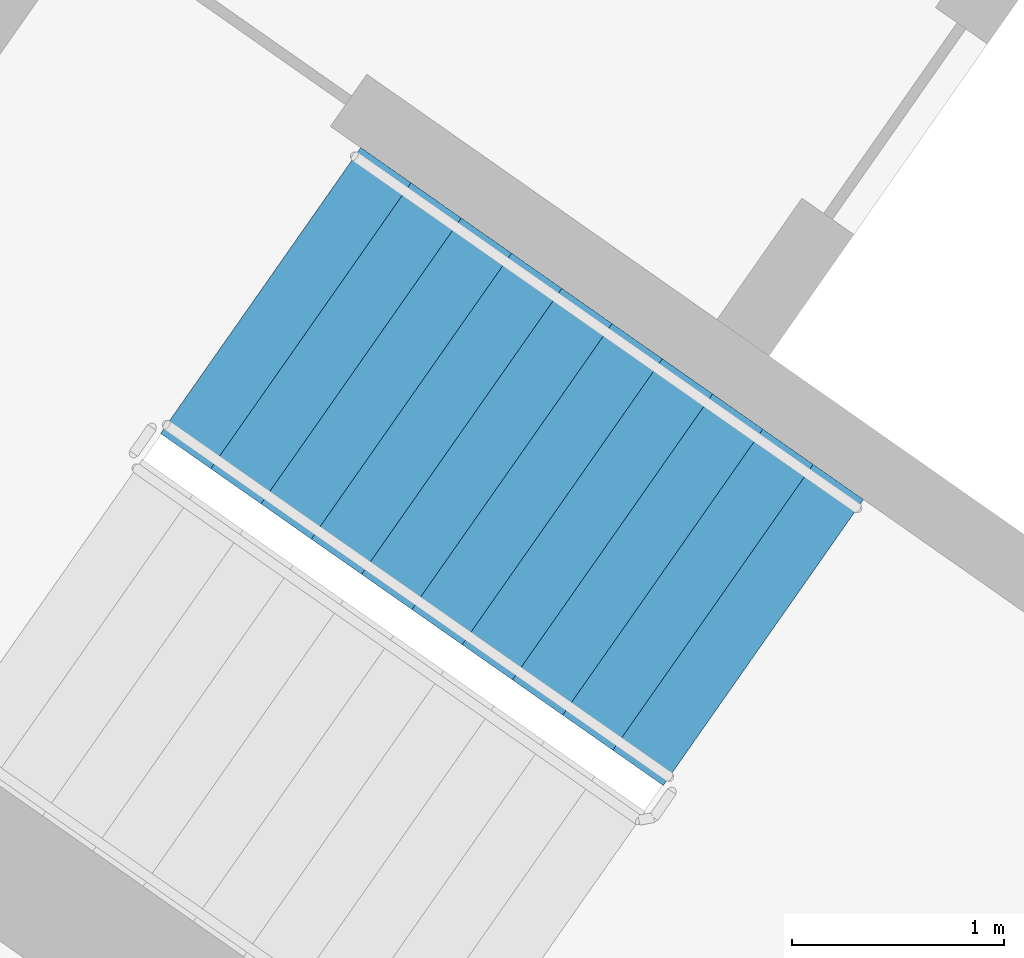
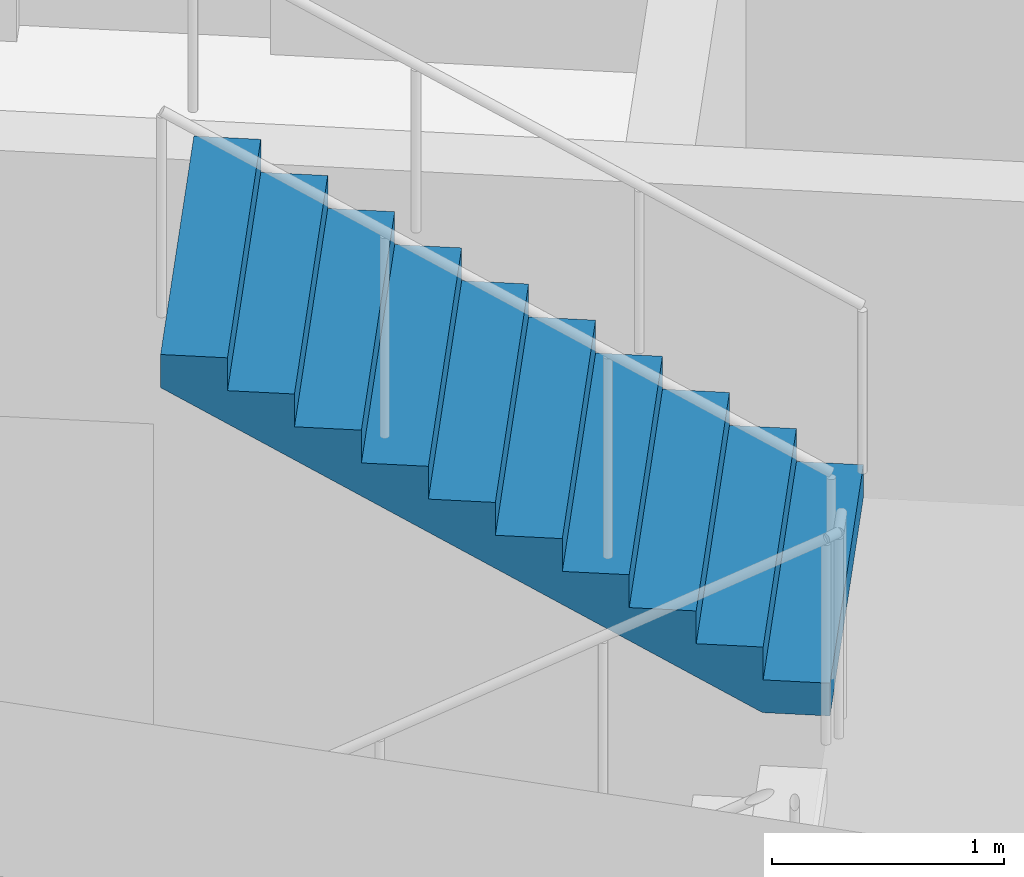
# One storey, part 11 of 27: 1 stair flight, 1 element without a shape of its own.
"""IFC4 building model written with IfcOpenShell, lengths in metres."""

from ifc_helpers import new_model, si_unit, direction, frame, origin, place, context, subcontext, project, spatial, faceted_brep, material, type_object, element, aggregate, save


model = new_model("IFC4")

# Units and contexts
model_context = context("Model", 3, precision=1e-05, world=origin(), true_north=direction((0.0, 1.0)))
body_context = subcontext(model_context, "Body", "Model", "MODEL_VIEW")
ifc_project = project(units=[si_unit("LENGTHUNIT", "METRE"), si_unit("AREAUNIT", "SQUARE_METRE"), si_unit("VOLUMEUNIT", "CUBIC_METRE"), si_unit("PLANEANGLEUNIT", "RADIAN"), si_unit("MASSUNIT", "GRAM", prefix="KILO")], contexts=[model_context])

# Site, building, storey
site_placement = place(None, origin())
site = spatial("IfcSite", under=ifc_project, at=site_placement, CompositionType="ELEMENT")
building_placement = place(site_placement, origin())
building = spatial("IfcBuilding", under=site, at=building_placement, Name="Qamariyya Broadcast Tower", CompositionType="ELEMENT")
storey_placement = place(building_placement, frame((0.0, 0.0, 175.89990234375)))
storey = spatial("IfcBuildingStorey", under=building, at=storey_placement, Name="L41", CompositionType="ELEMENT", Elevation=175.89990234375)

# Stair, stair flight
ifc_material = material(Name="Concrete C50/60", Category="concrete")
stair_type = type_object("IfcStairType", Name="Exit stair 22 risers of 173 mm", PredefinedType="HALF_TURN_STAIR", material=ifc_material)
stair_placement = place(storey_placement, origin())
stair = element("IfcStair", 1, at=stair_placement, inside=storey, type_object=stair_type, Name="L41 Stair W1", PredefinedType="HALF_TURN_STAIR")
stair_flight_type = type_object("IfcStairFlightType", Name="Exit stair flight 11 risers of 173 mm", PredefinedType="STRAIGHT", material=ifc_material)
stair_flight_placement = place(storey_placement, frame((-43.660888671875, -57.17138671875, 1.900146484375), z_axis=(0.0, 0.0, 1.0), x_axis=(-0.819152044289, 0.573576436351, 0.0)))
stair_flight = element("IfcStairFlight", 2, at=stair_flight_placement, type_object=stair_flight_type, Name="ST-W1 flight 2", NumberOfRisers=11, NumberOfTreads=10, PredefinedType="STRAIGHT", RiserHeight=0.172727273, TreadLength=0.29, context=body_context, shape_type="Brep", body=[
    faceted_brep([(0.0, 0.824951171875, 0.0), (0.0, 0.824951171875, 0.172607421875), (0.2900390625, 0.824951171875, 0.172607421875), (0.2900390625, 0.824951171875, 0.345458984375), (0.580078125, 0.824951171875, 0.345458984375), (0.580078125, 0.824951171875, 0.51806640625), (0.8701171875, 0.824951171875, 0.51806640625), (0.8701171875, 0.824951171875, 0.69091796875), (1.159912109375, 0.824951171875, 0.69091796875), (1.159912109375, 0.824951171875, 0.863525390625), (1.449951171875, 0.824951171875, 0.863525390625), (1.449951171875, 0.824951171875, 1.036376953125), (1.739990234375, 0.824951171875, 1.036376953125), (1.739990234375, 0.824951171875, 1.208984375), (2.030029296875, 0.824951171875, 1.208984375), (2.030029296875, 0.824951171875, 1.3818359375), (2.320068359375, 0.824951171875, 1.3818359375), (2.320068359375, 0.824951171875, 1.554443359375), (2.610107421875, 0.824951171875, 1.554443359375), (2.610107421875, 0.824951171875, 1.727294921875), (2.89990234375, 0.824951171875, 1.727294921875), (2.89990234375, 0.824951171875, 1.552734375), (0.29296875, 0.824951171875, 0.0), (0.29296875, -0.824951171875, 0.0), (2.89990234375, -0.824951171875, 1.552734375), (2.89990234375, -0.824951171875, 1.727294921875), (2.610107421875, -0.824951171875, 1.727294921875), (2.610107421875, -0.824951171875, 1.554443359375), (2.320068359375, -0.824951171875, 1.554443359375), (2.320068359375, -0.824951171875, 1.3818359375), (2.030029296875, -0.824951171875, 1.3818359375), (2.030029296875, -0.824951171875, 1.208984375), (1.739990234375, -0.824951171875, 1.208984375), (1.739990234375, -0.824951171875, 1.036376953125), (1.449951171875, -0.824951171875, 1.036376953125), (1.449951171875, -0.824951171875, 0.863525390625), (1.159912109375, -0.824951171875, 0.863525390625), (1.159912109375, -0.824951171875, 0.69091796875), (0.8701171875, -0.824951171875, 0.69091796875), (0.8701171875, -0.824951171875, 0.51806640625), (0.580078125, -0.824951171875, 0.51806640625), (0.580078125, -0.824951171875, 0.345458984375), (0.2900390625, -0.824951171875, 0.345458984375), (0.2900390625, -0.824951171875, 0.172607421875), (0.0, -0.824951171875, 0.172607421875), (0.0, -0.824951171875, 0.0), (0.0, 0.10009765625, 0.0), (0.0, 0.086669921875, 0.0), (0.0, 0.0732421875, 0.0), (0.0, 0.06005859375, 0.0), (0.0, 0.046630859375, 0.0), (0.0, 0.033447265625, 0.0), (0.0, 0.02001953125, 0.0), (0.0, 0.006591796875, 0.0), (0.0, -0.006591796875, 0.0), (0.0, -0.02001953125, 0.0), (0.0, -0.033447265625, 0.0), (0.0, -0.046630859375, 0.0), (0.0, -0.06005859375, 0.0), (0.0, -0.0732421875, 0.0), (0.0, -0.086669921875, 0.0), (0.0, -0.10009765625, 0.0), (0.0, -0.10009765625, 0.172607421875), (0.0, -0.086669921875, 0.172607421875), (0.0, -0.0732421875, 0.172607421875), (0.0, -0.06005859375, 0.172607421875), (0.0, -0.046630859375, 0.172607421875), (0.0, -0.033447265625, 0.172607421875), (0.0, -0.02001953125, 0.172607421875), (0.0, -0.006591796875, 0.172607421875), (0.0, 0.006591796875, 0.172607421875), (0.0, 0.02001953125, 0.172607421875), (0.0, 0.033447265625, 0.172607421875), (0.0, 0.046630859375, 0.172607421875), (0.0, 0.06005859375, 0.172607421875), (0.0, 0.0732421875, 0.172607421875), (0.0, 0.086669921875, 0.172607421875), (0.0, 0.10009765625, 0.172607421875), (0.2900390625, -0.10009765625, 0.172607421875), (0.2900390625, -0.086669921875, 0.172607421875), (0.2900390625, -0.0732421875, 0.172607421875), (0.2900390625, -0.06005859375, 0.172607421875), (0.2900390625, -0.046630859375, 0.172607421875), (0.2900390625, -0.033447265625, 0.172607421875), (0.2900390625, -0.02001953125, 0.172607421875), (0.2900390625, -0.006591796875, 0.172607421875), (0.2900390625, 0.006591796875, 0.172607421875), (0.2900390625, 0.02001953125, 0.172607421875), (0.2900390625, 0.033447265625, 0.172607421875), (0.2900390625, 0.046630859375, 0.172607421875), (0.2900390625, 0.06005859375, 0.172607421875), (0.2900390625, 0.0732421875, 0.172607421875), (0.2900390625, 0.086669921875, 0.172607421875), (0.2900390625, 0.10009765625, 0.172607421875), (0.2900390625, -0.10009765625, 0.345458984375), (0.2900390625, -0.086669921875, 0.345458984375), (0.2900390625, -0.0732421875, 0.345458984375), (0.2900390625, -0.06005859375, 0.345458984375), (0.2900390625, -0.046630859375, 0.345458984375), (0.2900390625, -0.033447265625, 0.345458984375), (0.2900390625, -0.02001953125, 0.345458984375), (0.2900390625, -0.006591796875, 0.345458984375), (0.2900390625, 0.006591796875, 0.345458984375), (0.2900390625, 0.02001953125, 0.345458984375), (0.2900390625, 0.033447265625, 0.345458984375), (0.2900390625, 0.046630859375, 0.345458984375), (0.2900390625, 0.06005859375, 0.345458984375), (0.2900390625, 0.0732421875, 0.345458984375), (0.2900390625, 0.086669921875, 0.345458984375), (0.2900390625, 0.10009765625, 0.345458984375), (0.580078125, -0.10009765625, 0.345458984375), (0.580078125, -0.086669921875, 0.345458984375), (0.580078125, -0.0732421875, 0.345458984375), (0.580078125, -0.06005859375, 0.345458984375), (0.580078125, -0.046630859375, 0.345458984375), (0.580078125, -0.033447265625, 0.345458984375), (0.580078125, -0.02001953125, 0.345458984375), (0.580078125, -0.006591796875, 0.345458984375), (0.580078125, 0.006591796875, 0.345458984375), (0.580078125, 0.02001953125, 0.345458984375), (0.580078125, 0.033447265625, 0.345458984375), (0.580078125, 0.046630859375, 0.345458984375), (0.580078125, 0.06005859375, 0.345458984375), (0.580078125, 0.0732421875, 0.345458984375), (0.580078125, 0.086669921875, 0.345458984375), (0.580078125, 0.10009765625, 0.345458984375), (0.580078125, -0.10009765625, 0.51806640625), (0.580078125, -0.086669921875, 0.51806640625), (0.580078125, -0.0732421875, 0.51806640625), (0.580078125, -0.06005859375, 0.51806640625), (0.580078125, -0.046630859375, 0.51806640625), (0.580078125, -0.033447265625, 0.51806640625), (0.580078125, -0.02001953125, 0.51806640625), (0.580078125, -0.006591796875, 0.51806640625), (0.580078125, 0.006591796875, 0.51806640625), (0.580078125, 0.02001953125, 0.51806640625), (0.580078125, 0.033447265625, 0.51806640625), (0.580078125, 0.046630859375, 0.51806640625), (0.580078125, 0.06005859375, 0.51806640625), (0.580078125, 0.0732421875, 0.51806640625), (0.580078125, 0.086669921875, 0.51806640625), (0.580078125, 0.10009765625, 0.51806640625), (0.8701171875, -0.10009765625, 0.51806640625), (0.8701171875, -0.086669921875, 0.51806640625), (0.8701171875, -0.0732421875, 0.51806640625), (0.8701171875, -0.06005859375, 0.51806640625), (0.8701171875, -0.046630859375, 0.51806640625), (0.8701171875, -0.033447265625, 0.51806640625), (0.8701171875, -0.02001953125, 0.51806640625), (0.8701171875, -0.006591796875, 0.51806640625), (0.8701171875, 0.006591796875, 0.51806640625), (0.8701171875, 0.02001953125, 0.51806640625), (0.8701171875, 0.033447265625, 0.51806640625), (0.8701171875, 0.046630859375, 0.51806640625), (0.8701171875, 0.06005859375, 0.51806640625), (0.8701171875, 0.0732421875, 0.51806640625), (0.8701171875, 0.086669921875, 0.51806640625), (0.8701171875, 0.10009765625, 0.51806640625), (0.8701171875, -0.10009765625, 0.69091796875), (0.8701171875, -0.086669921875, 0.69091796875), (0.8701171875, -0.0732421875, 0.69091796875), (0.8701171875, -0.06005859375, 0.69091796875), (0.8701171875, -0.046630859375, 0.69091796875), (0.8701171875, -0.033447265625, 0.69091796875), (0.8701171875, -0.02001953125, 0.69091796875), (0.8701171875, -0.006591796875, 0.69091796875), (0.8701171875, 0.006591796875, 0.69091796875), (0.8701171875, 0.02001953125, 0.69091796875), (0.8701171875, 0.033447265625, 0.69091796875), (0.8701171875, 0.046630859375, 0.69091796875), (0.8701171875, 0.06005859375, 0.69091796875), (0.8701171875, 0.0732421875, 0.69091796875), (0.8701171875, 0.086669921875, 0.69091796875), (0.8701171875, 0.10009765625, 0.69091796875), (1.159912109375, -0.10009765625, 0.69091796875), (1.159912109375, -0.086669921875, 0.69091796875), (1.159912109375, -0.0732421875, 0.69091796875), (1.159912109375, -0.06005859375, 0.69091796875), (1.159912109375, -0.046630859375, 0.69091796875), (1.159912109375, -0.033447265625, 0.69091796875), (1.159912109375, -0.02001953125, 0.69091796875), (1.159912109375, -0.006591796875, 0.69091796875), (1.159912109375, 0.006591796875, 0.69091796875), (1.159912109375, 0.02001953125, 0.69091796875), (1.159912109375, 0.033447265625, 0.69091796875), (1.159912109375, 0.046630859375, 0.69091796875), (1.159912109375, 0.06005859375, 0.69091796875), (1.159912109375, 0.0732421875, 0.69091796875), (1.159912109375, 0.086669921875, 0.69091796875), (1.159912109375, 0.10009765625, 0.69091796875), (1.159912109375, -0.10009765625, 0.863525390625), (1.159912109375, -0.086669921875, 0.863525390625), (1.159912109375, -0.0732421875, 0.863525390625), (1.159912109375, -0.06005859375, 0.863525390625), (1.159912109375, -0.046630859375, 0.863525390625), (1.159912109375, -0.033447265625, 0.863525390625), (1.159912109375, -0.02001953125, 0.863525390625), (1.159912109375, -0.006591796875, 0.863525390625), (1.159912109375, 0.006591796875, 0.863525390625), (1.159912109375, 0.02001953125, 0.863525390625), (1.159912109375, 0.033447265625, 0.863525390625), (1.159912109375, 0.046630859375, 0.863525390625), (1.159912109375, 0.06005859375, 0.863525390625), (1.159912109375, 0.0732421875, 0.863525390625), (1.159912109375, 0.086669921875, 0.863525390625), (1.159912109375, 0.10009765625, 0.863525390625), (1.449951171875, -0.10009765625, 0.863525390625), (1.449951171875, -0.086669921875, 0.863525390625), (1.449951171875, -0.0732421875, 0.863525390625), (1.449951171875, -0.06005859375, 0.863525390625), (1.449951171875, -0.046630859375, 0.863525390625), (1.449951171875, -0.033447265625, 0.863525390625), (1.449951171875, -0.02001953125, 0.863525390625), (1.449951171875, -0.006591796875, 0.863525390625), (1.449951171875, 0.006591796875, 0.863525390625), (1.449951171875, 0.02001953125, 0.863525390625), (1.449951171875, 0.033447265625, 0.863525390625), (1.449951171875, 0.046630859375, 0.863525390625), (1.449951171875, 0.06005859375, 0.863525390625), (1.449951171875, 0.0732421875, 0.863525390625), (1.449951171875, 0.086669921875, 0.863525390625), (1.449951171875, 0.10009765625, 0.863525390625), (1.449951171875, -0.10009765625, 1.036376953125), (1.449951171875, -0.086669921875, 1.036376953125), (1.449951171875, -0.0732421875, 1.036376953125), (1.449951171875, -0.06005859375, 1.036376953125), (1.449951171875, -0.046630859375, 1.036376953125), (1.449951171875, -0.033447265625, 1.036376953125), (1.449951171875, -0.02001953125, 1.036376953125), (1.449951171875, -0.006591796875, 1.036376953125), (1.449951171875, 0.006591796875, 1.036376953125), (1.449951171875, 0.02001953125, 1.036376953125), (1.449951171875, 0.033447265625, 1.036376953125), (1.449951171875, 0.046630859375, 1.036376953125), (1.449951171875, 0.06005859375, 1.036376953125), (1.449951171875, 0.0732421875, 1.036376953125), (1.449951171875, 0.086669921875, 1.036376953125), (1.449951171875, 0.10009765625, 1.036376953125), (1.739990234375, -0.10009765625, 1.036376953125), (1.739990234375, -0.086669921875, 1.036376953125), (1.739990234375, -0.0732421875, 1.036376953125), (1.739990234375, -0.06005859375, 1.036376953125), (1.739990234375, -0.046630859375, 1.036376953125), (1.739990234375, -0.033447265625, 1.036376953125), (1.739990234375, -0.02001953125, 1.036376953125), (1.739990234375, -0.006591796875, 1.036376953125), (1.739990234375, 0.006591796875, 1.036376953125), (1.739990234375, 0.02001953125, 1.036376953125), (1.739990234375, 0.033447265625, 1.036376953125), (1.739990234375, 0.046630859375, 1.036376953125), (1.739990234375, 0.06005859375, 1.036376953125), (1.739990234375, 0.0732421875, 1.036376953125), (1.739990234375, 0.086669921875, 1.036376953125), (1.739990234375, 0.10009765625, 1.036376953125), (1.739990234375, -0.10009765625, 1.208984375), (1.739990234375, -0.086669921875, 1.208984375), (1.739990234375, -0.0732421875, 1.208984375), (1.739990234375, -0.06005859375, 1.208984375), (1.739990234375, -0.046630859375, 1.208984375), (1.739990234375, -0.033447265625, 1.208984375), (1.739990234375, -0.02001953125, 1.208984375), (1.739990234375, -0.006591796875, 1.208984375), (1.739990234375, 0.006591796875, 1.208984375), (1.739990234375, 0.02001953125, 1.208984375), (1.739990234375, 0.033447265625, 1.208984375), (1.739990234375, 0.046630859375, 1.208984375), (1.739990234375, 0.06005859375, 1.208984375), (1.739990234375, 0.0732421875, 1.208984375), (1.739990234375, 0.086669921875, 1.208984375), (1.739990234375, 0.10009765625, 1.208984375), (2.030029296875, -0.10009765625, 1.208984375), (2.030029296875, -0.086669921875, 1.208984375), (2.030029296875, -0.0732421875, 1.208984375), (2.030029296875, -0.06005859375, 1.208984375), (2.030029296875, -0.046630859375, 1.208984375), (2.030029296875, -0.033447265625, 1.208984375), (2.030029296875, -0.02001953125, 1.208984375), (2.030029296875, -0.006591796875, 1.208984375), (2.030029296875, 0.006591796875, 1.208984375), (2.030029296875, 0.02001953125, 1.208984375), (2.030029296875, 0.033447265625, 1.208984375), (2.030029296875, 0.046630859375, 1.208984375), (2.030029296875, 0.06005859375, 1.208984375), (2.030029296875, 0.0732421875, 1.208984375), (2.030029296875, 0.086669921875, 1.208984375), (2.030029296875, 0.10009765625, 1.208984375), (2.030029296875, -0.10009765625, 1.3818359375), (2.030029296875, -0.086669921875, 1.3818359375), (2.030029296875, -0.0732421875, 1.3818359375), (2.030029296875, -0.06005859375, 1.3818359375), (2.030029296875, -0.046630859375, 1.3818359375), (2.030029296875, -0.033447265625, 1.3818359375), (2.030029296875, -0.02001953125, 1.3818359375), (2.030029296875, -0.006591796875, 1.3818359375), (2.030029296875, 0.006591796875, 1.3818359375), (2.030029296875, 0.02001953125, 1.3818359375), (2.030029296875, 0.033447265625, 1.3818359375), (2.030029296875, 0.046630859375, 1.3818359375), (2.030029296875, 0.06005859375, 1.3818359375), (2.030029296875, 0.0732421875, 1.3818359375), (2.030029296875, 0.086669921875, 1.3818359375), (2.030029296875, 0.10009765625, 1.3818359375), (2.320068359375, -0.10009765625, 1.3818359375), (2.320068359375, -0.086669921875, 1.3818359375), (2.320068359375, -0.0732421875, 1.3818359375), (2.320068359375, -0.06005859375, 1.3818359375), (2.320068359375, -0.046630859375, 1.3818359375), (2.320068359375, -0.033447265625, 1.3818359375), (2.320068359375, -0.02001953125, 1.3818359375), (2.320068359375, -0.006591796875, 1.3818359375), (2.320068359375, 0.006591796875, 1.3818359375), (2.320068359375, 0.02001953125, 1.3818359375), (2.320068359375, 0.033447265625, 1.3818359375), (2.320068359375, 0.046630859375, 1.3818359375), (2.320068359375, 0.06005859375, 1.3818359375), (2.320068359375, 0.0732421875, 1.3818359375), (2.320068359375, 0.086669921875, 1.3818359375), (2.320068359375, 0.10009765625, 1.3818359375), (2.320068359375, -0.10009765625, 1.554443359375), (2.320068359375, -0.086669921875, 1.554443359375), (2.320068359375, -0.0732421875, 1.554443359375), (2.320068359375, -0.06005859375, 1.554443359375), (2.320068359375, -0.046630859375, 1.554443359375), (2.320068359375, -0.033447265625, 1.554443359375), (2.320068359375, -0.02001953125, 1.554443359375), (2.320068359375, -0.006591796875, 1.554443359375), (2.320068359375, 0.006591796875, 1.554443359375), (2.320068359375, 0.02001953125, 1.554443359375), (2.320068359375, 0.033447265625, 1.554443359375), (2.320068359375, 0.046630859375, 1.554443359375), (2.320068359375, 0.06005859375, 1.554443359375), (2.320068359375, 0.0732421875, 1.554443359375), (2.320068359375, 0.086669921875, 1.554443359375), (2.320068359375, 0.10009765625, 1.554443359375), (2.610107421875, -0.10009765625, 1.554443359375), (2.610107421875, -0.086669921875, 1.554443359375), (2.610107421875, -0.0732421875, 1.554443359375), (2.610107421875, -0.06005859375, 1.554443359375), (2.610107421875, -0.046630859375, 1.554443359375), (2.610107421875, -0.033447265625, 1.554443359375), (2.610107421875, -0.02001953125, 1.554443359375), (2.610107421875, -0.006591796875, 1.554443359375), (2.610107421875, 0.006591796875, 1.554443359375), (2.610107421875, 0.02001953125, 1.554443359375), (2.610107421875, 0.033447265625, 1.554443359375), (2.610107421875, 0.046630859375, 1.554443359375), (2.610107421875, 0.06005859375, 1.554443359375), (2.610107421875, 0.0732421875, 1.554443359375), (2.610107421875, 0.086669921875, 1.554443359375), (2.610107421875, 0.10009765625, 1.554443359375), (2.610107421875, -0.10009765625, 1.727294921875), (2.610107421875, -0.086669921875, 1.727294921875), (2.610107421875, -0.0732421875, 1.727294921875), (2.610107421875, -0.06005859375, 1.727294921875), (2.610107421875, -0.046630859375, 1.727294921875), (2.610107421875, -0.033447265625, 1.727294921875), (2.610107421875, -0.02001953125, 1.727294921875), (2.610107421875, -0.006591796875, 1.727294921875), (2.610107421875, 0.006591796875, 1.727294921875), (2.610107421875, 0.02001953125, 1.727294921875), (2.610107421875, 0.033447265625, 1.727294921875), (2.610107421875, 0.046630859375, 1.727294921875), (2.610107421875, 0.06005859375, 1.727294921875), (2.610107421875, 0.0732421875, 1.727294921875), (2.610107421875, 0.086669921875, 1.727294921875), (2.610107421875, 0.10009765625, 1.727294921875), (2.89990234375, -0.10009765625, 1.727294921875), (2.89990234375, -0.086669921875, 1.727294921875), (2.89990234375, -0.0732421875, 1.727294921875), (2.89990234375, -0.06005859375, 1.727294921875), (2.89990234375, -0.046630859375, 1.727294921875), (2.89990234375, -0.033447265625, 1.727294921875), (2.89990234375, -0.02001953125, 1.727294921875), (2.89990234375, -0.006591796875, 1.727294921875), (2.89990234375, 0.006591796875, 1.727294921875), (2.89990234375, 0.02001953125, 1.727294921875), (2.89990234375, 0.033447265625, 1.727294921875), (2.89990234375, 0.046630859375, 1.727294921875), (2.89990234375, 0.06005859375, 1.727294921875), (2.89990234375, 0.0732421875, 1.727294921875), (2.89990234375, 0.086669921875, 1.727294921875), (2.89990234375, 0.10009765625, 1.727294921875), (2.89990234375, -0.10009765625, 1.552734375), (2.89990234375, -0.086669921875, 1.552734375), (2.89990234375, -0.0732421875, 1.552734375), (2.89990234375, -0.06005859375, 1.552734375), (2.89990234375, -0.046630859375, 1.552734375), (2.89990234375, -0.033447265625, 1.552734375), (2.89990234375, -0.02001953125, 1.552734375), (2.89990234375, -0.006591796875, 1.552734375), (2.89990234375, 0.006591796875, 1.552734375), (2.89990234375, 0.02001953125, 1.552734375), (2.89990234375, 0.033447265625, 1.552734375), (2.89990234375, 0.046630859375, 1.552734375), (2.89990234375, 0.06005859375, 1.552734375), (2.89990234375, 0.0732421875, 1.552734375), (2.89990234375, 0.086669921875, 1.552734375), (2.89990234375, 0.10009765625, 1.552734375), (0.29296875, -0.10009765625, 0.0), (0.29296875, -0.086669921875, 0.0), (0.29296875, -0.0732421875, 0.0), (0.29296875, -0.06005859375, 0.0), (0.29296875, -0.046630859375, 0.0), (0.29296875, -0.033447265625, 0.0), (0.29296875, -0.02001953125, 0.0), (0.29296875, -0.006591796875, 0.0), (0.29296875, 0.006591796875, 0.0), (0.29296875, 0.02001953125, 0.0), (0.29296875, 0.033447265625, 0.0), (0.29296875, 0.046630859375, 0.0), (0.29296875, 0.06005859375, 0.0), (0.29296875, 0.0732421875, 0.0), (0.29296875, 0.086669921875, 0.0), (0.29296875, 0.10009765625, 0.0)], [[[0, 1, 2, 3, 4, 5, 6, 7, 8, 9, 10, 11, 12, 13, 14, 15, 16, 17, 18, 19, 20, 21, 22]], [[23, 24, 25, 26, 27, 28, 29, 30, 31, 32, 33, 34, 35, 36, 37, 38, 39, 40, 41, 42, 43, 44, 45]], [[0, 46, 47, 48, 49, 50, 51, 52, 53, 54, 55, 56, 57, 58, 59, 60, 61, 45, 44, 62, 63, 64, 65, 66, 67, 68, 69, 70, 71, 72, 73, 74, 75, 76, 77, 1]], [[1, 77, 76, 75, 74, 73, 72, 71, 70, 69, 68, 67, 66, 65, 64, 63, 62, 44, 43, 78, 79, 80, 81, 82, 83, 84, 85, 86, 87, 88, 89, 90, 91, 92, 93, 2]], [[2, 93, 92, 91, 90, 89, 88, 87, 86, 85, 84, 83, 82, 81, 80, 79, 78, 43, 42, 94, 95, 96, 97, 98, 99, 100, 101, 102, 103, 104, 105, 106, 107, 108, 109, 3]], [[3, 109, 108, 107, 106, 105, 104, 103, 102, 101, 100, 99, 98, 97, 96, 95, 94, 42, 41, 110, 111, 112, 113, 114, 115, 116, 117, 118, 119, 120, 121, 122, 123, 124, 125, 4]], [[4, 125, 124, 123, 122, 121, 120, 119, 118, 117, 116, 115, 114, 113, 112, 111, 110, 41, 40, 126, 127, 128, 129, 130, 131, 132, 133, 134, 135, 136, 137, 138, 139, 140, 141, 5]], [[5, 141, 140, 139, 138, 137, 136, 135, 134, 133, 132, 131, 130, 129, 128, 127, 126, 40, 39, 142, 143, 144, 145, 146, 147, 148, 149, 150, 151, 152, 153, 154, 155, 156, 157, 6]], [[6, 157, 156, 155, 154, 153, 152, 151, 150, 149, 148, 147, 146, 145, 144, 143, 142, 39, 38, 158, 159, 160, 161, 162, 163, 164, 165, 166, 167, 168, 169, 170, 171, 172, 173, 7]], [[7, 173, 172, 171, 170, 169, 168, 167, 166, 165, 164, 163, 162, 161, 160, 159, 158, 38, 37, 174, 175, 176, 177, 178, 179, 180, 181, 182, 183, 184, 185, 186, 187, 188, 189, 8]], [[8, 189, 188, 187, 186, 185, 184, 183, 182, 181, 180, 179, 178, 177, 176, 175, 174, 37, 36, 190, 191, 192, 193, 194, 195, 196, 197, 198, 199, 200, 201, 202, 203, 204, 205, 9]], [[9, 205, 204, 203, 202, 201, 200, 199, 198, 197, 196, 195, 194, 193, 192, 191, 190, 36, 35, 206, 207, 208, 209, 210, 211, 212, 213, 214, 215, 216, 217, 218, 219, 220, 221, 10]], [[10, 221, 220, 219, 218, 217, 216, 215, 214, 213, 212, 211, 210, 209, 208, 207, 206, 35, 34, 222, 223, 224, 225, 226, 227, 228, 229, 230, 231, 232, 233, 234, 235, 236, 237, 11]], [[11, 237, 236, 235, 234, 233, 232, 231, 230, 229, 228, 227, 226, 225, 224, 223, 222, 34, 33, 238, 239, 240, 241, 242, 243, 244, 245, 246, 247, 248, 249, 250, 251, 252, 253, 12]], [[12, 253, 252, 251, 250, 249, 248, 247, 246, 245, 244, 243, 242, 241, 240, 239, 238, 33, 32, 254, 255, 256, 257, 258, 259, 260, 261, 262, 263, 264, 265, 266, 267, 268, 269, 13]], [[13, 269, 268, 267, 266, 265, 264, 263, 262, 261, 260, 259, 258, 257, 256, 255, 254, 32, 31, 270, 271, 272, 273, 274, 275, 276, 277, 278, 279, 280, 281, 282, 283, 284, 285, 14]], [[14, 285, 284, 283, 282, 281, 280, 279, 278, 277, 276, 275, 274, 273, 272, 271, 270, 31, 30, 286, 287, 288, 289, 290, 291, 292, 293, 294, 295, 296, 297, 298, 299, 300, 301, 15]], [[15, 301, 300, 299, 298, 297, 296, 295, 294, 293, 292, 291, 290, 289, 288, 287, 286, 30, 29, 302, 303, 304, 305, 306, 307, 308, 309, 310, 311, 312, 313, 314, 315, 316, 317, 16]], [[16, 317, 316, 315, 314, 313, 312, 311, 310, 309, 308, 307, 306, 305, 304, 303, 302, 29, 28, 318, 319, 320, 321, 322, 323, 324, 325, 326, 327, 328, 329, 330, 331, 332, 333, 17]], [[17, 333, 332, 331, 330, 329, 328, 327, 326, 325, 324, 323, 322, 321, 320, 319, 318, 28, 27, 334, 335, 336, 337, 338, 339, 340, 341, 342, 343, 344, 345, 346, 347, 348, 349, 18]], [[18, 349, 348, 347, 346, 345, 344, 343, 342, 341, 340, 339, 338, 337, 336, 335, 334, 27, 26, 350, 351, 352, 353, 354, 355, 356, 357, 358, 359, 360, 361, 362, 363, 364, 365, 19]], [[19, 365, 364, 363, 362, 361, 360, 359, 358, 357, 356, 355, 354, 353, 352, 351, 350, 26, 25, 366, 367, 368, 369, 370, 371, 372, 373, 374, 375, 376, 377, 378, 379, 380, 381, 20]], [[20, 381, 380, 379, 378, 377, 376, 375, 374, 373, 372, 371, 370, 369, 368, 367, 366, 25, 24, 382, 383, 384, 385, 386, 387, 388, 389, 390, 391, 392, 393, 394, 395, 396, 397, 21]], [[21, 397, 396, 395, 394, 393, 392, 391, 390, 389, 388, 387, 386, 385, 384, 383, 382, 24, 23, 398, 399, 400, 401, 402, 403, 404, 405, 406, 407, 408, 409, 410, 411, 412, 413, 22]], [[22, 413, 412, 411, 410, 409, 408, 407, 406, 405, 404, 403, 402, 401, 400, 399, 398, 23, 45, 61, 60, 59, 58, 57, 56, 55, 54, 53, 52, 51, 50, 49, 48, 47, 46, 0]]]),
])
aggregate(stair, [stair_flight])

save(model, "model.ifc")
